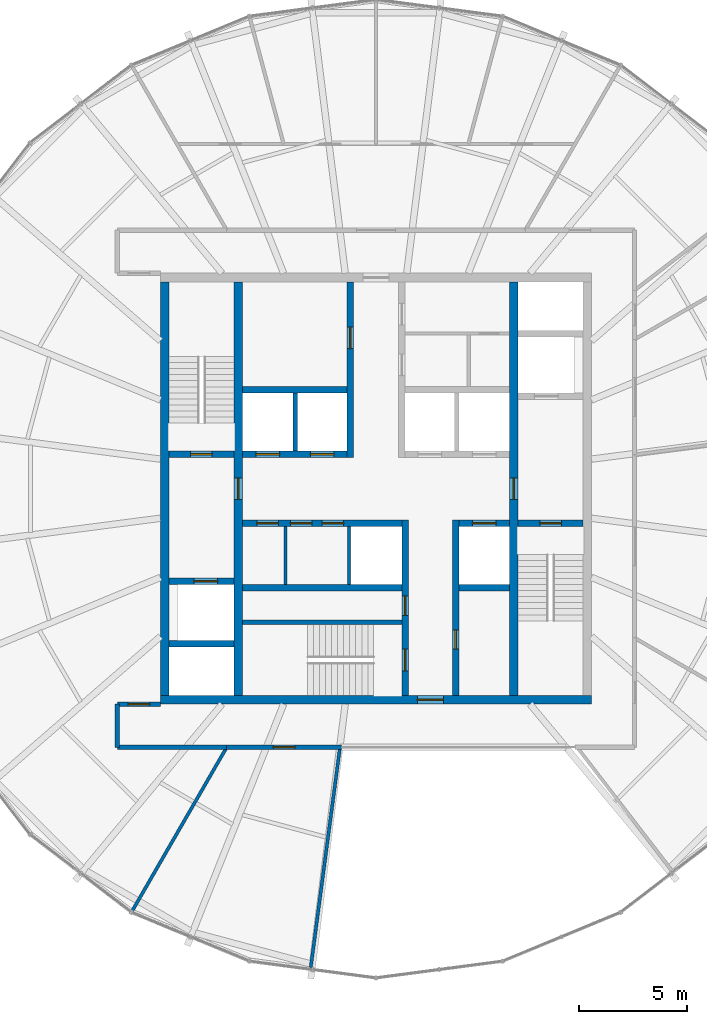
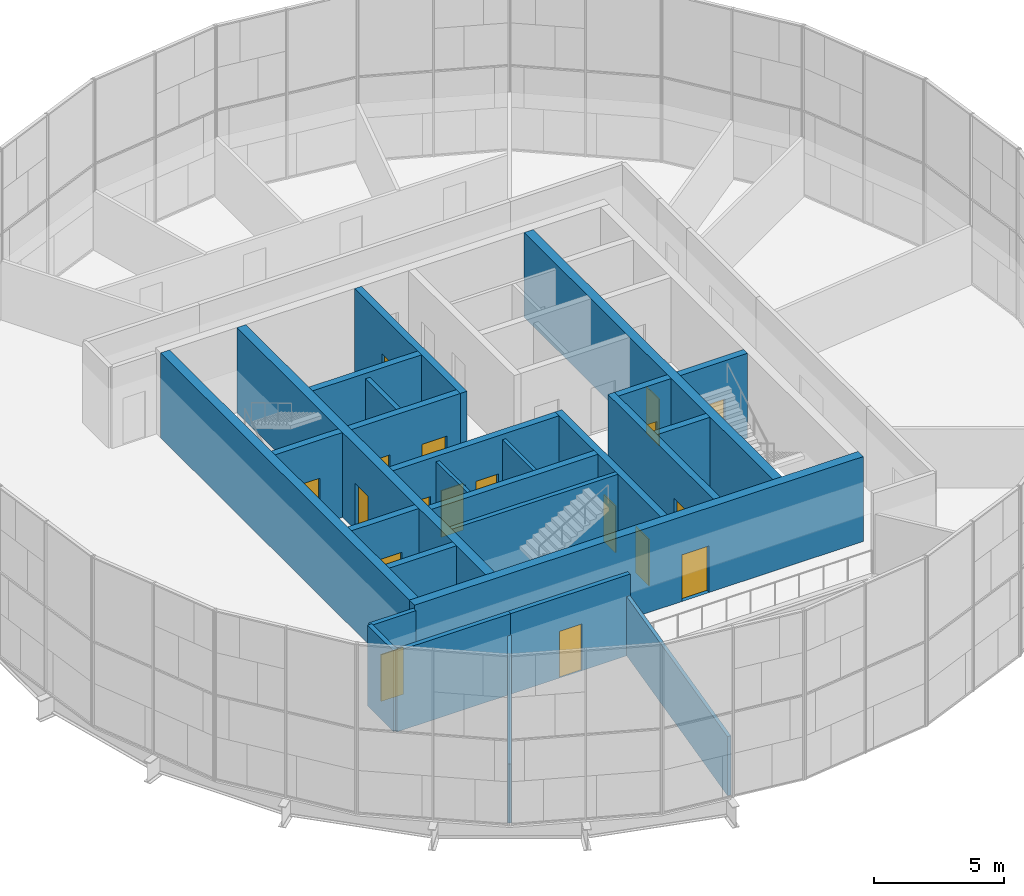
# One storey, part 16 of 19: 27 walls, 18 doors, 18 openings.
"""IFC4 building model written with IfcOpenShell, lengths in metres."""

from ifc_helpers import new_model, si_unit, direction, frame, frame_2d, origin, place, context, subcontext, project, spatial, rectangle, extrude, material, layer, layer_set, type_object, element, fill, save


model = new_model("IFC4")

# Units and contexts
model_context = context("Model", 3, precision=1e-05, world=origin(), true_north=direction((0.0, 1.0)))
body_context = subcontext(model_context, "Body", "Model", "MODEL_VIEW")
ifc_project = project(units=[si_unit("LENGTHUNIT", "METRE"), si_unit("AREAUNIT", "SQUARE_METRE"), si_unit("VOLUMEUNIT", "CUBIC_METRE"), si_unit("PLANEANGLEUNIT", "RADIAN"), si_unit("MASSUNIT", "GRAM", prefix="KILO")], contexts=[model_context])

# Site, building, storey
site_placement = place(None, origin())
site = spatial("IfcSite", under=ifc_project, at=site_placement, CompositionType="ELEMENT")
building_placement = place(site_placement, origin())
building = spatial("IfcBuilding", under=site, at=building_placement, Name="Golbaran Civic Tower", CompositionType="ELEMENT")
storey_placement = place(building_placement, frame((0.0, 0.0, 240.0)))
storey = spatial("IfcBuildingStorey", under=building, at=storey_placement, Name="L58", CompositionType="ELEMENT", Elevation=240.0)

# Walls
ifc_material_1 = material(Name="Concrete block", Category="concrete")
ifc_layer_1 = layer(ifc_material_1, 0.14990234375, Name="Concrete block")
ifc_layer_set_1 = layer_set([ifc_layer_1], Name="Concrete block")
wall_type_1 = type_object("IfcWallType", Name="BLOCKWORK PARTITION 150", PredefinedType="PARTITIONING", material=ifc_layer_set_1)
for number, where, z_axis, x_axis, name in (
    (1, (-4.199951171875, -1.75, 0.0), (0.0, 0.0, 1.0), (0.0, -1.0, 0.0), "Core room partition HP0 L58"),
    (2, (-1.25, -1.75, 0.0), (0.0, 0.0, 1.0), (0.0, -1.0, 0.0), "Lift H3 hoistway west wall L58"),
):
    element("IfcWall", number, at=place(storey_placement, frame(where, z_axis=z_axis, x_axis=x_axis)), inside=storey, type_object=wall_type_1, Name=name, PredefinedType="PARTITIONING", context=body_context, shape_type="SweptSolid", body=[
        extrude(rectangle(XDim=2.699951171875, YDim=0.14990234375, at=frame_2d((1.35009765625, 0.0))), origin(), (0.0, 0.0, 1.0), 3.75),
    ])

# Wall, opening, door
ifc_material_2 = material(Name="Concrete C50/60", Category="concrete")
ifc_layer_2 = layer(ifc_material_2, 0.39990234375, Name="Concrete C50/60")
ifc_layer_set_2 = layer_set([ifc_layer_2], Name="Concrete C50/60")
wall_type_2 = type_object("IfcWallType", Name="CORE WALL CONCRETE 400", PredefinedType="SOLIDWALL", material=ifc_layer_set_2)
wall_1_placement = place(storey_placement, frame((10.0, -9.800048828125, 0.0), z_axis=(0.0, 0.0, 1.0), x_axis=(-1.0, 0.0, 0.0)))
wall_1 = element("IfcWall", 3, at=wall_1_placement, inside=storey, type_object=wall_type_2, Name="Core wall CS L58", PredefinedType="SOLIDWALL", context=body_context, shape_type="SweptSolid", body=[
    extrude(rectangle(XDim=20.0, YDim=0.39990234375, at=frame_2d((10.0, 0.0))), origin(), (0.0, 0.0, 1.0), 4.0),
])
opening_1_placement = place(wall_1_placement, frame((6.875, 0.0, 0.0)))
opening_1 = element("IfcOpeningElement", 4, at=opening_1_placement, cuts=wall_1, Name="Opening L58.CS", PredefinedType="OPENING", context=body_context, shape_type="SweptSolid", body=[
    extrude(rectangle(XDim=1.199951171875, YDim=2.199951171875, at=frame_2d((0.60009765625, 1.10009765625))), frame((0.0, 0.2099609375, 0.0), z_axis=(0.0, -1.0, 0.0), x_axis=(1.0, 0.0, 0.0)), (0.0, 0.0, 1.0), 0.419921875),
])
ifc_material_3 = material(Name="Timber door set in steel frame", Category="steel")
door_type_1 = type_object("IfcDoorType", Name="CORE DOOR 1200x2200", OperationType="DOUBLE_DOOR_SINGLE_SWING", PredefinedType="DOOR", material=ifc_material_3)
door_1_placement = place(opening_1_placement, origin())
door_1 = element("IfcDoor", 5, at=door_1_placement, inside=storey, type_object=door_type_1, Name="Core door south", OperationType="DOUBLE_DOOR_SINGLE_SWING", OverallHeight=2.199951171875, OverallWidth=1.199951171875, PredefinedType="DOOR", context=body_context, shape_type="SweptSolid", body=[
    extrude(rectangle(XDim=1.199951171875, YDim=2.199951171875, at=frame_2d((0.60009765625, 1.10009765625))), frame((0.0, 0.02490234375, 0.0), z_axis=(0.0, -1.0, 0.0), x_axis=(1.0, 0.0, 0.0)), (0.0, 0.0, 1.0), 0.050048828125),
])
fill(opening_1, door_1)

# Wall
wall_2_placement = place(storey_placement, frame((-9.800048828125, 9.60009765625, 0.0), z_axis=(0.0, 0.0, 1.0), x_axis=(0.0, -1.0, 0.0)))
element("IfcWall", 6, at=wall_2_placement, inside=storey, type_object=wall_type_2, Name="Core wall CW L58", PredefinedType="SOLIDWALL", context=body_context, shape_type="SweptSolid", body=[
    extrude(rectangle(XDim=19.2001953125, YDim=0.39990234375, at=frame_2d((9.60009765625, 0.0))), origin(), (0.0, 0.0, 1.0), 4.0),
])

# Wall, opening, door
wall_3_placement = place(storey_placement, frame((-6.39990234375, -9.60009765625, 0.0), z_axis=(0.0, 0.0, 1.0), x_axis=(0.0, 1.0, 0.0)))
wall_3 = element("IfcWall", 7, at=wall_3_placement, inside=storey, type_object=wall_type_2, Name="Core wall IW L58", PredefinedType="SOLIDWALL", context=body_context, shape_type="SweptSolid", body=[
    extrude(rectangle(XDim=19.2001953125, YDim=0.39990234375, at=frame_2d((9.60009765625, 0.0))), origin(), (0.0, 0.0, 1.0), 4.0),
])
opening_2_placement = place(wall_3_placement, frame((9.10009765625, 0.0, 0.0)))
opening_2 = element("IfcOpeningElement", 8, at=opening_2_placement, cuts=wall_3, Name="Opening L58.FL1", PredefinedType="OPENING", context=body_context, shape_type="SweptSolid", body=[
    extrude(rectangle(XDim=1.0, YDim=2.199951171875, at=frame_2d((0.5, 1.10009765625))), frame((0.0, 0.2099609375, 0.0), z_axis=(0.0, -1.0, 0.0), x_axis=(1.0, 0.0, 0.0)), (0.0, 0.0, 1.0), 0.419921875),
])
door_type_2 = type_object("IfcDoorType", Name="STAIR DOOR 1000x2200", OperationType="SINGLE_SWING_LEFT", PredefinedType="DOOR", material=ifc_material_3)
door_2_placement = place(opening_2_placement, origin())
door_2 = element("IfcDoor", 9, at=door_2_placement, inside=storey, type_object=door_type_2, Name="Fire-fighting lobby FL1 door", OperationType="SINGLE_SWING_LEFT", OverallHeight=2.199951171875, OverallWidth=1.0, PredefinedType="DOOR", context=body_context, shape_type="SweptSolid", body=[
    extrude(rectangle(XDim=1.0, YDim=2.199951171875, at=frame_2d((0.5, 1.10009765625))), frame((0.0, 0.02490234375, 0.0), z_axis=(0.0, -1.0, 0.0), x_axis=(1.0, 0.0, 0.0)), (0.0, 0.0, 1.0), 0.050048828125),
])
fill(opening_2, door_2)

wall_4_placement = place(storey_placement, frame((6.39990234375, 9.60009765625, 0.0), z_axis=(0.0, 0.0, 1.0), x_axis=(0.0, -1.0, 0.0)))
wall_4 = element("IfcWall", 10, at=wall_4_placement, inside=storey, type_object=wall_type_2, Name="Core wall IE L58", PredefinedType="SOLIDWALL", context=body_context, shape_type="SweptSolid", body=[
    extrude(rectangle(XDim=19.2001953125, YDim=0.39990234375, at=frame_2d((9.60009765625, 0.0))), origin(), (0.0, 0.0, 1.0), 4.0),
])
opening_3_placement = place(wall_4_placement, frame((9.10009765625, 0.0, 0.0)))
opening_3 = element("IfcOpeningElement", 11, at=opening_3_placement, cuts=wall_4, Name="Opening L58.FL2", PredefinedType="OPENING", context=body_context, shape_type="SweptSolid", body=[
    extrude(rectangle(XDim=1.0, YDim=2.199951171875, at=frame_2d((0.5, 1.10009765625))), frame((0.0, 0.2099609375, 0.0), z_axis=(0.0, -1.0, 0.0), x_axis=(1.0, 0.0, 0.0)), (0.0, 0.0, 1.0), 0.419921875),
])
door_3_placement = place(opening_3_placement, origin())
door_3 = element("IfcDoor", 12, at=door_3_placement, inside=storey, type_object=door_type_2, Name="Fire-fighting lobby FL2 door", OperationType="SINGLE_SWING_RIGHT", OverallHeight=2.199951171875, OverallWidth=1.0, PredefinedType="DOOR", context=body_context, shape_type="SweptSolid", body=[
    extrude(rectangle(XDim=1.0, YDim=2.199951171875, at=frame_2d((0.5, 1.10009765625))), frame((0.0, 0.02490234375, 0.0), z_axis=(0.0, -1.0, 0.0), x_axis=(1.0, 0.0, 0.0)), (0.0, 0.0, 1.0), 0.050048828125),
])
fill(opening_3, door_3)

# Walls
ifc_material_4 = material(Name="Gypsum board on steel studs, fire-rated", Category="steel")
ifc_layer_3 = layer(ifc_material_4, 0.199951171875, Name="Gypsum board on steel studs, fire-rated")
ifc_layer_set_3 = layer_set([ifc_layer_3], Name="Gypsum board on steel studs, fire-rated")
wall_type_3 = type_object("IfcWallType", Name="CORRIDOR WALL 200", PredefinedType="PARTITIONING", material=ifc_layer_set_3)
wall_5_placement = place(storey_placement, frame((-12.0, -10.0, 0.0), z_axis=(0.0, 0.0, 1.0), x_axis=(0.0, -1.0, 0.0)))
element("IfcWall", 13, at=wall_5_placement, inside=storey, type_object=wall_type_3, Name="Corridor wall L58", PredefinedType="PARTITIONING", context=body_context, shape_type="SweptSolid", body=[
    extrude(rectangle(XDim=2.0, YDim=0.199951171875, at=frame_2d((1.0, 0.0))), origin(), (0.0, 0.0, 1.0), 3.800048828125),
])
wall_6_placement = place(storey_placement, frame((-12.0, -12.0, 0.0), z_axis=(0.0, 0.0, 1.0), x_axis=(1.0, 0.0, 0.0)))
element("IfcWall", 14, at=wall_6_placement, inside=storey, type_object=wall_type_3, Name="Corridor wall L58", PredefinedType="PARTITIONING", context=body_context, shape_type="SweptSolid", body=[
    extrude(rectangle(XDim=5.07177734375, YDim=0.199951171875, at=frame_2d((2.535888671875, 0.0))), origin(), (0.0, 0.0, 1.0), 3.800048828125),
])

# Wall, opening, door
wall_7_placement = place(storey_placement, frame((-6.92822265625, -12.0, 0.0), z_axis=(0.0, 0.0, 1.0), x_axis=(1.0, 0.0, 0.0)))
wall_7 = element("IfcWall", 15, at=wall_7_placement, inside=storey, type_object=wall_type_3, Name="Corridor wall L58", PredefinedType="PARTITIONING", context=body_context, shape_type="SweptSolid", body=[
    extrude(rectangle(XDim=5.333740234375, YDim=0.199951171875, at=frame_2d((2.6669921875, 0.0))), origin(), (0.0, 0.0, 1.0), 3.800048828125),
])
opening_4_placement = place(wall_7_placement, frame((2.166748046875, 0.0, 0.0)))
opening_4 = element("IfcOpeningElement", 16, at=opening_4_placement, cuts=wall_7, Name="Opening L58.10", PredefinedType="OPENING", context=body_context, shape_type="SweptSolid", body=[
    extrude(rectangle(XDim=1.0, YDim=2.199951171875, at=frame_2d((0.5, 1.10009765625))), frame((0.0, 0.10986328125, 0.0), z_axis=(0.0, -1.0, 0.0), x_axis=(1.0, 0.0, 0.0)), (0.0, 0.0, 1.0), 0.219970703125),
])
door_type_3 = type_object("IfcDoorType", Name="OFFICE DOOR 1000x2200", OperationType="SINGLE_SWING_LEFT", PredefinedType="DOOR", material=ifc_material_3)
door_4_placement = place(opening_4_placement, origin())
door_4 = element("IfcDoor", 17, at=door_4_placement, inside=storey, type_object=door_type_3, Name="Meeting Room door L58", OperationType="SINGLE_SWING_LEFT", OverallHeight=2.199951171875, OverallWidth=1.0, PredefinedType="DOOR", context=body_context, shape_type="SweptSolid", body=[
    extrude(rectangle(XDim=1.0, YDim=2.199951171875, at=frame_2d((0.5, 1.10009765625))), frame((0.0, 0.02490234375, 0.0), z_axis=(0.0, -1.0, 0.0), x_axis=(1.0, 0.0, 0.0)), (0.0, 0.0, 1.0), 0.050048828125),
])
fill(opening_4, door_4)

wall_8_placement = place(storey_placement, frame((-10.0, -10.0, 0.0), z_axis=(0.0, 0.0, 1.0), x_axis=(-1.0, 0.0, 0.0)))
wall_8 = element("IfcWall", 18, at=wall_8_placement, inside=storey, type_object=wall_type_3, Name="Corridor end wall L58", PredefinedType="PARTITIONING", context=body_context, shape_type="SweptSolid", body=[
    extrude(rectangle(XDim=2.0, YDim=0.199951171875, at=frame_2d((1.0, 0.0))), origin(), (0.0, 0.0, 1.0), 3.800048828125),
])
opening_5_placement = place(wall_8_placement, frame((0.5, 0.0, 0.0)))
opening_5 = element("IfcOpeningElement", 19, at=opening_5_placement, cuts=wall_8, Name="Opening L58.12", PredefinedType="OPENING", context=body_context, shape_type="SweptSolid", body=[
    extrude(rectangle(XDim=1.0, YDim=2.199951171875, at=frame_2d((0.5, 1.10009765625))), frame((0.0, 0.10986328125, 0.0), z_axis=(0.0, -1.0, 0.0), x_axis=(1.0, 0.0, 0.0)), (0.0, 0.0, 1.0), 0.219970703125),
])
door_5_placement = place(opening_5_placement, origin())
door_5 = element("IfcDoor", 20, at=door_5_placement, inside=storey, type_object=door_type_3, Name="Open Office door L58", OperationType="SINGLE_SWING_RIGHT", OverallHeight=2.199951171875, OverallWidth=1.0, PredefinedType="DOOR", context=body_context, shape_type="SweptSolid", body=[
    extrude(rectangle(XDim=1.0, YDim=2.199951171875, at=frame_2d((0.5, 1.10009765625))), frame((0.0, 0.02490234375, 0.0), z_axis=(0.0, -1.0, 0.0), x_axis=(1.0, 0.0, 0.0)), (0.0, 0.0, 1.0), 0.050048828125),
])
fill(opening_5, door_5)

# Walls
ifc_layer_4 = layer(ifc_material_1, 0.199951171875, Name="Concrete block")
ifc_layer_set_4 = layer_set([ifc_layer_4], Name="Concrete block")
wall_type_4 = type_object("IfcWallType", Name="LIFT SEPARATOR WALL 200", PredefinedType="SOLIDWALL", material=ifc_layer_set_4)
wall_9_placement = place(storey_placement, frame((-3.75, 1.75, 0.0), z_axis=(0.0, 0.0, 1.0), x_axis=(0.0, 1.0, 0.0)))
element("IfcWall", 21, at=wall_9_placement, inside=storey, type_object=wall_type_4, Name="Core partition SNW L58", PredefinedType="SOLIDWALL", context=body_context, shape_type="SweptSolid", body=[
    extrude(rectangle(XDim=2.699951171875, YDim=0.199951171875, at=frame_2d((1.35009765625, 0.0))), origin(), (0.0, 0.0, 1.0), 3.75),
])
ifc_material_5 = material(Name="Gypsum board on steel studs", Category="steel")
ifc_layer_5 = layer(ifc_material_5, 0.14990234375, Name="Gypsum board on steel studs")
ifc_layer_set_5 = layer_set([ifc_layer_5], Name="Gypsum board on steel studs")
wall_type_5 = type_object("IfcWallType", Name="OFFICE PARTITION 150", PredefinedType="PARTITIONING", material=ifc_layer_set_5)
wall_10_placement = place(storey_placement, frame((-6.92822265625, -12.0, 0.0), z_axis=(0.0, 0.0, 1.0), x_axis=(-0.500008971228, -0.866020224182, 0.0)))
element("IfcWall", 22, at=wall_10_placement, inside=storey, type_object=wall_type_5, Name="Partition 240 L58", PredefinedType="PARTITIONING", context=body_context, shape_type="SweptSolid", body=[
    extrude(rectangle(XDim=8.752685546875, YDim=0.14990234375, at=frame_2d((4.37646484375, 0.0))), origin(), (0.0, 0.0, 1.0), 2.7900390625),
])
wall_11_placement = place(storey_placement, frame((-1.6689453125, -11.990234375, 0.0), z_axis=(0.0, 0.0, 1.0), x_axis=(-0.131704595197, -0.991289009121, 0.0)))
element("IfcWall", 23, at=wall_11_placement, inside=storey, type_object=wall_type_5, Name="Partition 262.431 L58", PredefinedType="PARTITIONING", context=body_context, shape_type="SweptSolid", body=[
    extrude(rectangle(XDim=10.310302734375, YDim=0.14990234375, at=frame_2d((5.1552734375, 0.0))), origin(), (0.0, 0.0, 1.0), 2.7900390625),
])
ifc_layer_6 = layer(ifc_material_2, 0.199951171875, Name="Concrete C50/60")
ifc_layer_set_6 = layer_set([ifc_layer_6], Name="Concrete C50/60")
wall_type_6 = type_object("IfcWallType", Name="SHAFT WALL CONCRETE 200", PredefinedType="SOLIDWALL", material=ifc_layer_set_6)
wall_12_placement = place(storey_placement, frame((-6.199951171875, -6.199951171875, 0.0), z_axis=(0.0, 0.0, 1.0), x_axis=(1.0, 0.0, 0.0)))
element("IfcWall", 24, at=wall_12_placement, inside=storey, type_object=wall_type_6, Name="Core wall S3N L58", PredefinedType="SOLIDWALL", context=body_context, shape_type="SweptSolid", body=[
    extrude(rectangle(XDim=7.39990234375, YDim=0.199951171875, at=frame_2d((3.699951171875, 0.0))), origin(), (0.0, 0.0, 1.0), 4.0),
])

# Wall, openings, doors
ifc_layer_7 = layer(ifc_material_2, 0.300048828125, Name="Concrete C50/60")
ifc_layer_set_7 = layer_set([ifc_layer_7], Name="Concrete C50/60")
wall_type_7 = type_object("IfcWallType", Name="SHAFT WALL CONCRETE 300", PredefinedType="SOLIDWALL", material=ifc_layer_set_7)
wall_13_placement = place(storey_placement, frame((-6.199951171875, 1.60009765625, 0.0), z_axis=(0.0, 0.0, 1.0), x_axis=(1.0, 0.0, 0.0)))
wall_13 = element("IfcWall", 25, at=wall_13_placement, inside=storey, type_object=wall_type_7, Name="Core wall FNW L58", PredefinedType="SOLIDWALL", context=body_context, shape_type="SweptSolid", body=[
    extrude(rectangle(XDim=4.849853515625, YDim=0.300048828125, at=frame_2d((2.4248046875, 0.0))), origin(), (0.0, 0.0, 1.0), 4.0),
])
opening_6_placement = place(wall_13_placement, frame((0.625, 0.0, 0.0)))
opening_6 = element("IfcOpeningElement", 26, at=opening_6_placement, cuts=wall_13, Name="Opening L58.LD-Z1T", PredefinedType="OPENING", context=body_context, shape_type="SweptSolid", body=[
    extrude(rectangle(XDim=1.10009765625, YDim=2.199951171875, at=frame_2d((0.550048828125, 1.10009765625))), frame((0.0, 0.159912109375, 0.0), z_axis=(0.0, -1.0, 0.0), x_axis=(1.0, 0.0, 0.0)), (0.0, 0.0, 1.0), 0.320068359375),
])
opening_7_placement = place(wall_13_placement, frame((3.14990234375, 0.0, 0.0)))
opening_7 = element("IfcOpeningElement", 27, at=opening_7_placement, cuts=wall_13, Name="Opening L58.LD-Z2T", PredefinedType="OPENING", context=body_context, shape_type="SweptSolid", body=[
    extrude(rectangle(XDim=1.10009765625, YDim=2.199951171875, at=frame_2d((0.550048828125, 1.10009765625))), frame((0.0, 0.159912109375, 0.0), z_axis=(0.0, -1.0, 0.0), x_axis=(1.0, 0.0, 0.0)), (0.0, 0.0, 1.0), 0.320068359375),
])
ifc_material_6 = material(Name="Stainless steel", Category="steel")
door_type_4 = type_object("IfcDoorType", Name="LIFT LANDING DOOR 1100x2200", OperationType="SLIDING_TO_LEFT", PredefinedType="DOOR", material=ifc_material_6)
door_6_placement = place(opening_6_placement, origin())
door_6 = element("IfcDoor", 28, at=door_6_placement, inside=storey, type_object=door_type_4, Name="Lift landing door Z1T", OperationType="SLIDING_TO_LEFT", OverallHeight=2.199951171875, OverallWidth=1.10009765625, PredefinedType="DOOR", context=body_context, shape_type="SweptSolid", body=[
    extrude(rectangle(XDim=1.10009765625, YDim=2.199951171875, at=frame_2d((0.550048828125, 1.10009765625))), frame((0.0, 0.02490234375, 0.0), z_axis=(0.0, -1.0, 0.0), x_axis=(1.0, 0.0, 0.0)), (0.0, 0.0, 1.0), 0.050048828125),
])
fill(opening_6, door_6)
door_7_placement = place(opening_7_placement, origin())
door_7 = element("IfcDoor", 29, at=door_7_placement, inside=storey, type_object=door_type_4, Name="Lift landing door Z2T", OperationType="SLIDING_TO_LEFT", OverallHeight=2.199951171875, OverallWidth=1.10009765625, PredefinedType="DOOR", context=body_context, shape_type="SweptSolid", body=[
    extrude(rectangle(XDim=1.10009765625, YDim=2.199951171875, at=frame_2d((0.550048828125, 1.10009765625))), frame((0.0, 0.02490234375, 0.0), z_axis=(0.0, -1.0, 0.0), x_axis=(1.0, 0.0, 0.0)), (0.0, 0.0, 1.0), 0.050048828125),
])
fill(opening_7, door_7)

# Wall
wall_14_placement = place(storey_placement, frame((-6.199951171875, 4.60009765625, 0.0), z_axis=(0.0, 0.0, 1.0), x_axis=(1.0, 0.0, 0.0)))
element("IfcWall", 30, at=wall_14_placement, inside=storey, type_object=wall_type_7, Name="Core wall BNW L58", PredefinedType="SOLIDWALL", context=body_context, shape_type="SweptSolid", body=[
    extrude(rectangle(XDim=4.849853515625, YDim=0.300048828125, at=frame_2d((2.4248046875, 0.0))), origin(), (0.0, 0.0, 1.0), 4.0),
])

# Wall, opening, door
wall_15_placement = place(storey_placement, frame((-1.199951171875, 1.449951171875, 0.0), z_axis=(0.0, 0.0, 1.0), x_axis=(0.0, 1.0, 0.0)))
wall_15 = element("IfcWall", 31, at=wall_15_placement, inside=storey, type_object=wall_type_7, Name="Core wall PNW L58", PredefinedType="SOLIDWALL", context=body_context, shape_type="SweptSolid", body=[
    extrude(rectangle(XDim=8.150146484375, YDim=0.300048828125, at=frame_2d((4.0751953125, 0.0))), origin(), (0.0, 0.0, 1.0), 4.0),
])
opening_8_placement = place(wall_15_placement, frame((5.050048828125, 0.0, 0.0)))
opening_8 = element("IfcOpeningElement", 32, at=opening_8_placement, cuts=wall_15, Name="Opening L58.WCM", PredefinedType="OPENING", context=body_context, shape_type="SweptSolid", body=[
    extrude(rectangle(XDim=1.0, YDim=2.199951171875, at=frame_2d((0.5, 1.10009765625))), frame((0.0, 0.159912109375, 0.0), z_axis=(0.0, -1.0, 0.0), x_axis=(1.0, 0.0, 0.0)), (0.0, 0.0, 1.0), 0.320068359375),
])
door_type_5 = type_object("IfcDoorType", Name="TOILET DOOR 1000x2200", OperationType="SINGLE_SWING_LEFT", PredefinedType="DOOR", material=ifc_material_3)
door_8_placement = place(opening_8_placement, origin())
door_8 = element("IfcDoor", 33, at=door_8_placement, inside=storey, type_object=door_type_5, Name="North-west toilet block door", OperationType="SINGLE_SWING_RIGHT", OverallHeight=2.199951171875, OverallWidth=1.0, PredefinedType="DOOR", context=body_context, shape_type="SweptSolid", body=[
    extrude(rectangle(XDim=1.0, YDim=2.199951171875, at=frame_2d((0.5, 1.10009765625))), frame((0.0, 0.02490234375, 0.0), z_axis=(0.0, -1.0, 0.0), x_axis=(1.0, 0.0, 0.0)), (0.0, 0.0, 1.0), 0.050048828125),
])
fill(opening_8, door_8)

# Wall, openings, doors
wall_16_placement = place(storey_placement, frame((-6.199951171875, -1.60009765625, 0.0), z_axis=(0.0, 0.0, 1.0), x_axis=(1.0, 0.0, 0.0)))
wall_16 = element("IfcWall", 34, at=wall_16_placement, inside=storey, type_object=wall_type_7, Name="Core wall FSW L58", PredefinedType="SOLIDWALL", context=body_context, shape_type="SweptSolid", body=[
    extrude(rectangle(XDim=7.39990234375, YDim=0.300048828125, at=frame_2d((3.699951171875, 0.0))), origin(), (0.0, 0.0, 1.0), 4.0),
])
opening_9_placement = place(wall_16_placement, frame((0.675048828125, 0.0, 0.0)))
opening_9 = element("IfcOpeningElement", 35, at=opening_9_placement, cuts=wall_16, Name="Opening L58.H1R", PredefinedType="OPENING", context=body_context, shape_type="SweptSolid", body=[
    extrude(rectangle(XDim=1.0, YDim=2.199951171875, at=frame_2d((0.5, 1.10009765625))), frame((0.0, 0.159912109375, 0.0), z_axis=(0.0, -1.0, 0.0), x_axis=(1.0, 0.0, 0.0)), (0.0, 0.0, 1.0), 0.320068359375),
])
opening_10_placement = place(wall_16_placement, frame((2.22509765625, 0.0, 0.0)))
opening_10 = element("IfcOpeningElement", 36, at=opening_10_placement, cuts=wall_16, Name="Opening L58.H2R", PredefinedType="OPENING", context=body_context, shape_type="SweptSolid", body=[
    extrude(rectangle(XDim=1.0, YDim=2.199951171875, at=frame_2d((0.5, 1.10009765625))), frame((0.0, 0.159912109375, 0.0), z_axis=(0.0, -1.0, 0.0), x_axis=(1.0, 0.0, 0.0)), (0.0, 0.0, 1.0), 0.320068359375),
])
opening_11_placement = place(wall_16_placement, frame((3.695068359375, 0.0, 0.0)))
opening_11 = element("IfcOpeningElement", 37, at=opening_11_placement, cuts=wall_16, Name="Opening L58.H3R", PredefinedType="OPENING", context=body_context, shape_type="SweptSolid", body=[
    extrude(rectangle(XDim=1.0, YDim=2.199951171875, at=frame_2d((0.5, 1.10009765625))), frame((0.0, 0.159912109375, 0.0), z_axis=(0.0, -1.0, 0.0), x_axis=(1.0, 0.0, 0.0)), (0.0, 0.0, 1.0), 0.320068359375),
])
door_type_6 = type_object("IfcDoorType", Name="CORE ROOM DOOR 1000x2200", OperationType="SINGLE_SWING_LEFT", PredefinedType="DOOR", material=ifc_material_3)
door_9_placement = place(opening_9_placement, origin())
door_9 = element("IfcDoor", 38, at=door_9_placement, inside=storey, type_object=door_type_6, Name="Archive Store door", OperationType="SINGLE_SWING_LEFT", OverallHeight=2.199951171875, OverallWidth=1.0, PredefinedType="DOOR", context=body_context, shape_type="SweptSolid", body=[
    extrude(rectangle(XDim=1.0, YDim=2.199951171875, at=frame_2d((0.5, 1.10009765625))), frame((0.0, 0.02490234375, 0.0), z_axis=(0.0, -1.0, 0.0), x_axis=(1.0, 0.0, 0.0)), (0.0, 0.0, 1.0), 0.050048828125),
])
fill(opening_9, door_9)
door_10_placement = place(opening_10_placement, origin())
door_10 = element("IfcDoor", 39, at=door_10_placement, inside=storey, type_object=door_type_6, Name="IT and Comms Room door", OperationType="SINGLE_SWING_LEFT", OverallHeight=2.199951171875, OverallWidth=1.0, PredefinedType="DOOR", context=body_context, shape_type="SweptSolid", body=[
    extrude(rectangle(XDim=1.0, YDim=2.199951171875, at=frame_2d((0.5, 1.10009765625))), frame((0.0, 0.02490234375, 0.0), z_axis=(0.0, -1.0, 0.0), x_axis=(1.0, 0.0, 0.0)), (0.0, 0.0, 1.0), 0.050048828125),
])
fill(opening_10, door_10)
door_11_placement = place(opening_11_placement, origin())
door_11 = element("IfcDoor", 40, at=door_11_placement, inside=storey, type_object=door_type_6, Name="IT and Comms Room door", OperationType="SINGLE_SWING_RIGHT", OverallHeight=2.199951171875, OverallWidth=1.0, PredefinedType="DOOR", context=body_context, shape_type="SweptSolid", body=[
    extrude(rectangle(XDim=1.0, YDim=2.199951171875, at=frame_2d((0.5, 1.10009765625))), frame((0.0, 0.02490234375, 0.0), z_axis=(0.0, -1.0, 0.0), x_axis=(1.0, 0.0, 0.0)), (0.0, 0.0, 1.0), 0.050048828125),
])
fill(opening_11, door_11)

# Wall, opening, door
wall_17_placement = place(storey_placement, frame((3.85009765625, -1.60009765625, 0.0), z_axis=(0.0, 0.0, 1.0), x_axis=(1.0, 0.0, 0.0)))
wall_17 = element("IfcWall", 41, at=wall_17_placement, inside=storey, type_object=wall_type_7, Name="Core wall FSE L58", PredefinedType="SOLIDWALL", context=body_context, shape_type="SweptSolid", body=[
    extrude(rectangle(XDim=2.349853515625, YDim=0.300048828125, at=frame_2d((1.1748046875, 0.0))), origin(), (0.0, 0.0, 1.0), 4.0),
])
opening_12_placement = place(wall_17_placement, frame((0.625, 0.0, 0.0)))
opening_12 = element("IfcOpeningElement", 42, at=opening_12_placement, cuts=wall_17, Name="Opening L58.LD-V1", PredefinedType="OPENING", context=body_context, shape_type="SweptSolid", body=[
    extrude(rectangle(XDim=1.10009765625, YDim=2.199951171875, at=frame_2d((0.550048828125, 1.10009765625))), frame((0.0, 0.159912109375, 0.0), z_axis=(0.0, -1.0, 0.0), x_axis=(1.0, 0.0, 0.0)), (0.0, 0.0, 1.0), 0.320068359375),
])
door_12_placement = place(opening_12_placement, origin())
door_12 = element("IfcDoor", 43, at=door_12_placement, inside=storey, type_object=door_type_4, Name="Lift landing door V1", OperationType="SLIDING_TO_LEFT", OverallHeight=2.199951171875, OverallWidth=1.10009765625, PredefinedType="DOOR", context=body_context, shape_type="SweptSolid", body=[
    extrude(rectangle(XDim=1.10009765625, YDim=2.199951171875, at=frame_2d((0.550048828125, 1.10009765625))), frame((0.0, 0.02490234375, 0.0), z_axis=(0.0, -1.0, 0.0), x_axis=(1.0, 0.0, 0.0)), (0.0, 0.0, 1.0), 0.050048828125),
])
fill(opening_12, door_12)

# Walls
wall_18_placement = place(storey_placement, frame((-6.199951171875, -4.60009765625, 0.0), z_axis=(0.0, 0.0, 1.0), x_axis=(1.0, 0.0, 0.0)))
element("IfcWall", 44, at=wall_18_placement, inside=storey, type_object=wall_type_7, Name="Core wall BSW L58", PredefinedType="SOLIDWALL", context=body_context, shape_type="SweptSolid", body=[
    extrude(rectangle(XDim=7.39990234375, YDim=0.300048828125, at=frame_2d((3.699951171875, 0.0))), origin(), (0.0, 0.0, 1.0), 4.0),
])
wall_19_placement = place(storey_placement, frame((3.85009765625, -4.60009765625, 0.0), z_axis=(0.0, 0.0, 1.0), x_axis=(1.0, 0.0, 0.0)))
element("IfcWall", 45, at=wall_19_placement, inside=storey, type_object=wall_type_7, Name="Core wall BSE L58", PredefinedType="SOLIDWALL", context=body_context, shape_type="SweptSolid", body=[
    extrude(rectangle(XDim=2.349853515625, YDim=0.300048828125, at=frame_2d((1.1748046875, 0.0))), origin(), (0.0, 0.0, 1.0), 4.0),
])

# Wall, openings, doors
wall_20_placement = place(storey_placement, frame((1.35009765625, -1.449951171875, 0.0), z_axis=(0.0, 0.0, 1.0), x_axis=(0.0, -1.0, 0.0)))
wall_20 = element("IfcWall", 46, at=wall_20_placement, inside=storey, type_object=wall_type_7, Name="Core wall PSW L58", PredefinedType="SOLIDWALL", context=body_context, shape_type="SweptSolid", body=[
    extrude(rectangle(XDim=8.150146484375, YDim=0.300048828125, at=frame_2d((4.0751953125, 0.0))), origin(), (0.0, 0.0, 1.0), 4.0),
])
opening_13_placement = place(wall_20_placement, frame((6.0, 0.0, 0.0)))
opening_13 = element("IfcOpeningElement", 47, at=opening_13_placement, cuts=wall_20, Name="Opening L58.S3", PredefinedType="OPENING", context=body_context, shape_type="SweptSolid", body=[
    extrude(rectangle(XDim=1.0, YDim=2.199951171875, at=frame_2d((0.5, 1.10009765625))), frame((0.0, 0.159912109375, 0.0), z_axis=(0.0, -1.0, 0.0), x_axis=(1.0, 0.0, 0.0)), (0.0, 0.0, 1.0), 0.320068359375),
])
opening_14_placement = place(wall_20_placement, frame((3.52490234375, 0.0, 0.0)))
opening_14 = element("IfcOpeningElement", 48, at=opening_14_placement, cuts=wall_20, Name="Opening L58.RE", PredefinedType="OPENING", context=body_context, shape_type="SweptSolid", body=[
    extrude(rectangle(XDim=0.89990234375, YDim=2.199951171875, at=frame_2d((0.449951171875, 1.10009765625))), frame((0.0, 0.159912109375, 0.0), z_axis=(0.0, -1.0, 0.0), x_axis=(1.0, 0.0, 0.0)), (0.0, 0.0, 1.0), 0.320068359375),
])
door_type_7 = type_object("IfcDoorType", Name="RISER DOOR 900x2200", OperationType="SINGLE_SWING_LEFT", PredefinedType="DOOR", material=ifc_material_3)
door_13_placement = place(opening_14_placement, origin())
door_13 = element("IfcDoor", 49, at=door_13_placement, inside=storey, type_object=door_type_7, Name="Electrical riser door", OperationType="SINGLE_SWING_LEFT", OverallHeight=2.199951171875, OverallWidth=0.89990234375, PredefinedType="DOOR", context=body_context, shape_type="SweptSolid", body=[
    extrude(rectangle(XDim=0.89990234375, YDim=2.199951171875, at=frame_2d((0.449951171875, 1.10009765625))), frame((0.0, 0.02490234375, 0.0), z_axis=(0.0, -1.0, 0.0), x_axis=(1.0, 0.0, 0.0)), (0.0, 0.0, 1.0), 0.050048828125),
])
fill(opening_14, door_13)
door_14_placement = place(opening_13_placement, origin())
door_14 = element("IfcDoor", 50, at=door_14_placement, inside=storey, type_object=door_type_2, Name="Stair S3 door", OperationType="SINGLE_SWING_RIGHT", OverallHeight=2.199951171875, OverallWidth=1.0, PredefinedType="DOOR", context=body_context, shape_type="SweptSolid", body=[
    extrude(rectangle(XDim=1.0, YDim=2.199951171875, at=frame_2d((0.5, 1.10009765625))), frame((0.0, 0.02490234375, 0.0), z_axis=(0.0, -1.0, 0.0), x_axis=(1.0, 0.0, 0.0)), (0.0, 0.0, 1.0), 0.050048828125),
])
fill(opening_13, door_14)

# Wall, opening, door
wall_21_placement = place(storey_placement, frame((3.699951171875, -1.449951171875, 0.0), z_axis=(0.0, 0.0, 1.0), x_axis=(0.0, -1.0, 0.0)))
wall_21 = element("IfcWall", 51, at=wall_21_placement, inside=storey, type_object=wall_type_7, Name="Core wall PSE L58", PredefinedType="SOLIDWALL", context=body_context, shape_type="SweptSolid", body=[
    extrude(rectangle(XDim=8.150146484375, YDim=0.300048828125, at=frame_2d((4.0751953125, 0.0))), origin(), (0.0, 0.0, 1.0), 4.0),
])
opening_15_placement = place(wall_21_placement, frame((5.10009765625, 0.0, 0.0)))
opening_15 = element("IfcOpeningElement", 52, at=opening_15_placement, cuts=wall_21, Name="Opening L58.RM", PredefinedType="OPENING", context=body_context, shape_type="SweptSolid", body=[
    extrude(rectangle(XDim=0.89990234375, YDim=2.199951171875, at=frame_2d((0.449951171875, 1.10009765625))), frame((0.0, 0.159912109375, 0.0), z_axis=(0.0, -1.0, 0.0), x_axis=(1.0, 0.0, 0.0)), (0.0, 0.0, 1.0), 0.320068359375),
])
door_15_placement = place(opening_15_placement, origin())
door_15 = element("IfcDoor", 53, at=door_15_placement, inside=storey, type_object=door_type_7, Name="Mechanical riser door", OperationType="SINGLE_SWING_RIGHT", OverallHeight=2.199951171875, OverallWidth=0.89990234375, PredefinedType="DOOR", context=body_context, shape_type="SweptSolid", body=[
    extrude(rectangle(XDim=0.89990234375, YDim=2.199951171875, at=frame_2d((0.449951171875, 1.10009765625))), frame((0.0, 0.02490234375, 0.0), z_axis=(0.0, -1.0, 0.0), x_axis=(1.0, 0.0, 0.0)), (0.0, 0.0, 1.0), 0.050048828125),
])
fill(opening_15, door_15)

wall_22_placement = place(storey_placement, frame((-9.60009765625, 1.60009765625, 0.0), z_axis=(0.0, 0.0, 1.0), x_axis=(1.0, 0.0, 0.0)))
wall_22 = element("IfcWall", 54, at=wall_22_placement, inside=storey, type_object=wall_type_7, Name="Core wall XW1 L58", PredefinedType="SOLIDWALL", context=body_context, shape_type="SweptSolid", body=[
    extrude(rectangle(XDim=3.0, YDim=0.300048828125, at=frame_2d((1.5, 0.0))), origin(), (0.0, 0.0, 1.0), 4.0),
])
opening_16_placement = place(wall_22_placement, frame((1.0, 0.0, 0.0)))
opening_16 = element("IfcOpeningElement", 55, at=opening_16_placement, cuts=wall_22, Name="Opening L58.S1", PredefinedType="OPENING", context=body_context, shape_type="SweptSolid", body=[
    extrude(rectangle(XDim=1.0, YDim=2.199951171875, at=frame_2d((0.5, 1.10009765625))), frame((0.0, 0.159912109375, 0.0), z_axis=(0.0, -1.0, 0.0), x_axis=(1.0, 0.0, 0.0)), (0.0, 0.0, 1.0), 0.320068359375),
])
door_16_placement = place(opening_16_placement, origin())
door_16 = element("IfcDoor", 56, at=door_16_placement, inside=storey, type_object=door_type_2, Name="Stair S1 door", OperationType="SINGLE_SWING_LEFT", OverallHeight=2.199951171875, OverallWidth=1.0, PredefinedType="DOOR", context=body_context, shape_type="SweptSolid", body=[
    extrude(rectangle(XDim=1.0, YDim=2.199951171875, at=frame_2d((0.5, 1.10009765625))), frame((0.0, 0.02490234375, 0.0), z_axis=(0.0, -1.0, 0.0), x_axis=(1.0, 0.0, 0.0)), (0.0, 0.0, 1.0), 0.050048828125),
])
fill(opening_16, door_16)

wall_23_placement = place(storey_placement, frame((6.60009765625, -1.60009765625, 0.0), z_axis=(0.0, 0.0, 1.0), x_axis=(1.0, 0.0, 0.0)))
wall_23 = element("IfcWall", 57, at=wall_23_placement, inside=storey, type_object=wall_type_7, Name="Core wall XE1 L58", PredefinedType="SOLIDWALL", context=body_context, shape_type="SweptSolid", body=[
    extrude(rectangle(XDim=3.0, YDim=0.300048828125, at=frame_2d((1.5, 0.0))), origin(), (0.0, 0.0, 1.0), 4.0),
])
opening_17_placement = place(wall_23_placement, frame((1.0, 0.0, 0.0)))
opening_17 = element("IfcOpeningElement", 58, at=opening_17_placement, cuts=wall_23, Name="Opening L58.S2", PredefinedType="OPENING", context=body_context, shape_type="SweptSolid", body=[
    extrude(rectangle(XDim=1.0, YDim=2.199951171875, at=frame_2d((0.5, 1.10009765625))), frame((0.0, 0.159912109375, 0.0), z_axis=(0.0, -1.0, 0.0), x_axis=(1.0, 0.0, 0.0)), (0.0, 0.0, 1.0), 0.320068359375),
])
door_17_placement = place(opening_17_placement, origin())
door_17 = element("IfcDoor", 59, at=door_17_placement, inside=storey, type_object=door_type_2, Name="Stair S2 door", OperationType="SINGLE_SWING_LEFT", OverallHeight=2.199951171875, OverallWidth=1.0, PredefinedType="DOOR", context=body_context, shape_type="SweptSolid", body=[
    extrude(rectangle(XDim=1.0, YDim=2.199951171875, at=frame_2d((0.5, 1.10009765625))), frame((0.0, 0.02490234375, 0.0), z_axis=(0.0, -1.0, 0.0), x_axis=(1.0, 0.0, 0.0)), (0.0, 0.0, 1.0), 0.050048828125),
])
fill(opening_17, door_17)

wall_24_placement = place(storey_placement, frame((-9.60009765625, -4.300048828125, 0.0), z_axis=(0.0, 0.0, 1.0), x_axis=(1.0, 0.0, 0.0)))
wall_24 = element("IfcWall", 60, at=wall_24_placement, inside=storey, type_object=wall_type_7, Name="Core wall XW2 L58", PredefinedType="SOLIDWALL", context=body_context, shape_type="SweptSolid", body=[
    extrude(rectangle(XDim=3.0, YDim=0.300048828125, at=frame_2d((1.5, 0.0))), origin(), (0.0, 0.0, 1.0), 4.0),
])
opening_18_placement = place(wall_24_placement, frame((1.14990234375, 0.0, 0.0)))
opening_18 = element("IfcOpeningElement", 61, at=opening_18_placement, cuts=wall_24, Name="Opening L58.LD-F1", PredefinedType="OPENING", context=body_context, shape_type="SweptSolid", body=[
    extrude(rectangle(XDim=1.10009765625, YDim=2.199951171875, at=frame_2d((0.550048828125, 1.10009765625))), frame((0.0, 0.159912109375, 0.0), z_axis=(0.0, -1.0, 0.0), x_axis=(1.0, 0.0, 0.0)), (0.0, 0.0, 1.0), 0.320068359375),
])
door_18_placement = place(opening_18_placement, origin())
door_18 = element("IfcDoor", 62, at=door_18_placement, inside=storey, type_object=door_type_4, Name="Lift landing door F1", OperationType="SLIDING_TO_LEFT", OverallHeight=2.199951171875, OverallWidth=1.10009765625, PredefinedType="DOOR", context=body_context, shape_type="SweptSolid", body=[
    extrude(rectangle(XDim=1.10009765625, YDim=2.199951171875, at=frame_2d((0.550048828125, 1.10009765625))), frame((0.0, 0.02490234375, 0.0), z_axis=(0.0, -1.0, 0.0), x_axis=(1.0, 0.0, 0.0)), (0.0, 0.0, 1.0), 0.050048828125),
])
fill(opening_18, door_18)

# Wall
wall_25_placement = place(storey_placement, frame((-9.60009765625, -7.199951171875, 0.0), z_axis=(0.0, 0.0, 1.0), x_axis=(1.0, 0.0, 0.0)))
element("IfcWall", 63, at=wall_25_placement, inside=storey, type_object=wall_type_7, Name="Core wall XW3 L58", PredefinedType="SOLIDWALL", context=body_context, shape_type="SweptSolid", body=[
    extrude(rectangle(XDim=3.0, YDim=0.300048828125, at=frame_2d((1.5, 0.0))), origin(), (0.0, 0.0, 1.0), 4.0),
])

save(model, "model.ifc")
